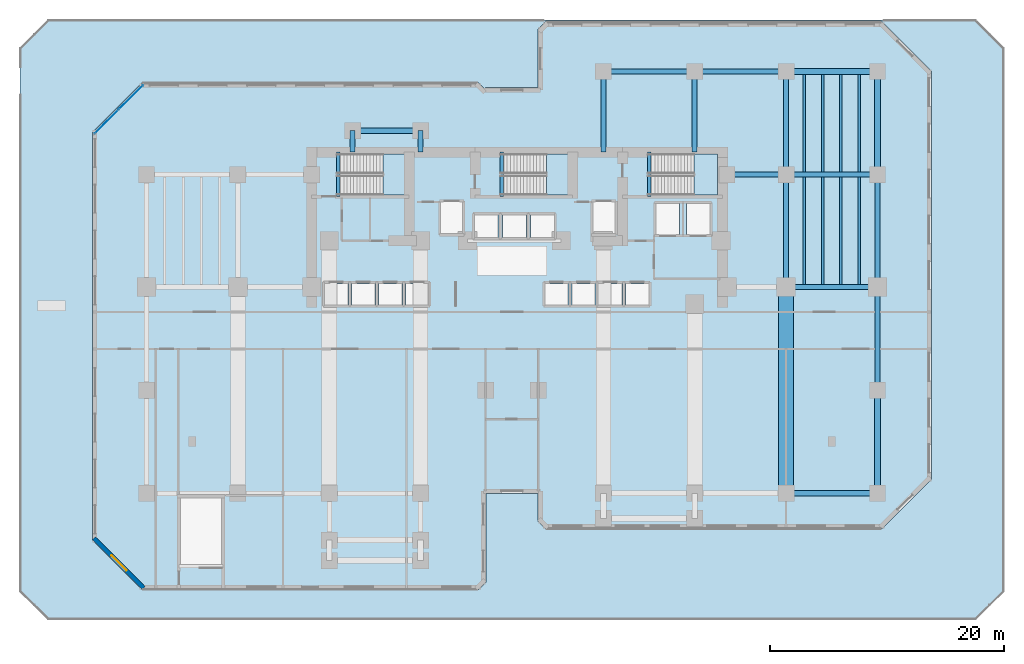
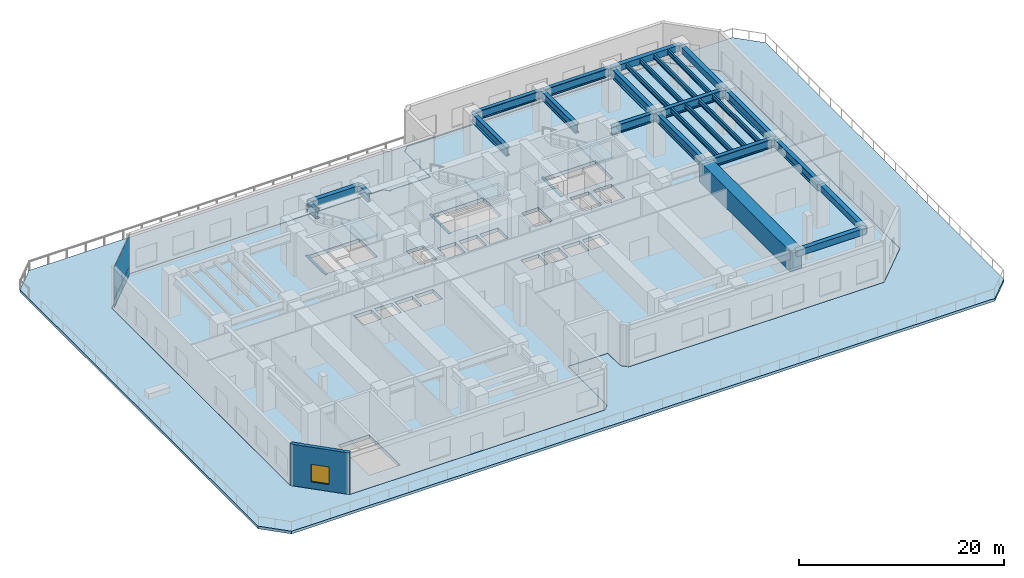
# One storey, part 3 of 13: 30 beams, 5 slabs, 4 plates, 1 wall, 1 window, 1 opening, 4 elements without a shape of their own.
"""IFC4 building model written with IfcOpenShell, lengths in metres."""

from ifc_helpers import new_model, si_unit, direction, frame, frame_2d, origin, origin_2d, place, context, subcontext, project, spatial, polyline, rectangle, i_section, outline, extrude, material, layer, layer_set, material_profile, profile_set, type_object, element, fill, aggregate, save


model = new_model("IFC4")

# Units and contexts
model_context = context("Model", 3, precision=1e-05, world=origin(), true_north=direction((0.0, 1.0)))
body_context = subcontext(model_context, "Body", "Model", "MODEL_VIEW")
ifc_project = project(units=[si_unit("LENGTHUNIT", "METRE"), si_unit("AREAUNIT", "SQUARE_METRE"), si_unit("VOLUMEUNIT", "CUBIC_METRE"), si_unit("PLANEANGLEUNIT", "RADIAN"), si_unit("MASSUNIT", "GRAM", prefix="KILO")], contexts=[model_context])

# Site, building, storey
site_placement = place(None, origin())
site = spatial("IfcSite", under=ifc_project, at=site_placement, CompositionType="ELEMENT")
building_placement = place(site_placement, origin())
building = spatial("IfcBuilding", under=site, at=building_placement, Name="Kestravale Grand Hotel", CompositionType="ELEMENT")
storey_placement = place(building_placement, frame((0.0, 0.0, 20.800048828125)))
storey = spatial("IfcBuildingStorey", under=building, at=storey_placement, Name="L04", CompositionType="ELEMENT", Elevation=20.800048828125)

# Beams
ifc_material_1 = material(Name="Steel ASTM A992 Grade 50", Category="steel")
ifc_material_profile_1 = material_profile(ifc_material_1, i_section(OverallWidth=0.2099609375, OverallDepth=0.535888671875, WebThickness=0.010986328125, FlangeThickness=0.017333984375, FilletRadius=0.017578125, at=origin_2d()))
ifc_profile_set_1 = profile_set([ifc_material_profile_1], Name="Steel ASTM A992 Grade 50")
beam_type_1 = type_object("IfcBeamType", Name="B-FLR-JST21", PredefinedType="JOIST", material=ifc_profile_set_1)
for number, where, z_axis, x_axis, name in (
    (1, (63.9599609375, 29.013427734375, 4.671875), (0.0, 1.0, 0.0), (-1.0, 0.0, 0.0), "L04 floor joist 10-11/E-F #1"),
    (2, (65.52001953125, 29.013427734375, 4.671875), (0.0, 1.0, 0.0), (-1.0, 0.0, 0.0), "L04 floor joist 10-11/E-F #2"),
    (3, (67.080078125, 29.013427734375, 4.671875), (0.0, 1.0, 0.0), (-1.0, 0.0, 0.0), "L04 floor joist 10-11/E-F #3"),
    (4, (68.639892578125, 29.013427734375, 4.671875), (0.0, 1.0, 0.0), (-1.0, 0.0, 0.0), "L04 floor joist 10-11/E-F #4"),
):
    element("IfcBeam", number, at=place(storey_placement, frame(where, z_axis=z_axis, x_axis=x_axis)), inside=storey, type_object=beam_type_1, Name=name, PredefinedType="JOIST", context=body_context, shape_type="SweptSolid", body=[
        extrude(i_section(OverallWidth=0.2099609375, OverallDepth=0.535888671875, WebThickness=0.010986328125, FlangeThickness=0.017333984375, FilletRadius=0.017578125, at=origin_2d()), origin(), (0.0, 0.0, 1.0), 9.173095703125),
    ])
for number, where, z_axis, x_axis, name in (
    (5, (63.9599609375, 38.613525390625, 4.671875), (0.0, 1.0, 0.0), (-1.0, 0.0, 0.0), "L04 floor joist 10-11/F-G #1"),
    (6, (65.52001953125, 38.613525390625, 4.671875), (0.0, 1.0, 0.0), (-1.0, 0.0, 0.0), "L04 floor joist 10-11/F-G #2"),
    (7, (67.080078125, 38.613525390625, 4.671875), (0.0, 1.0, 0.0), (-1.0, 0.0, 0.0), "L04 floor joist 10-11/F-G #3"),
    (8, (68.639892578125, 38.613525390625, 4.671875), (0.0, 1.0, 0.0), (-1.0, 0.0, 0.0), "L04 floor joist 10-11/F-G #4"),
):
    element("IfcBeam", number, at=place(storey_placement, frame(where, z_axis=z_axis, x_axis=x_axis)), inside=storey, type_object=beam_type_1, Name=name, PredefinedType="JOIST", context=body_context, shape_type="SweptSolid", body=[
        extrude(i_section(OverallWidth=0.2099609375, OverallDepth=0.535888671875, WebThickness=0.010986328125, FlangeThickness=0.017333984375, FilletRadius=0.017578125, at=origin_2d()), origin(), (0.0, 0.0, 1.0), 8.33642578125),
    ])
ifc_material_2 = material(Name="Concrete f'c 45 MPa", Category="concrete")
ifc_material_profile_2 = material_profile(ifc_material_2, rectangle(XDim=0.300048828125, YDim=0.39990234375, at=origin_2d()))
ifc_profile_set_2 = profile_set([ifc_material_profile_2], Name="Concrete f'c 45 MPa")
beam_type_2 = type_object("IfcBeamType", Name="B-FLR-LNT400", PredefinedType="LINTEL", material=ifc_profile_set_2)
for number, where, z_axis, x_axis, name in (
    (9, (24.159912109375, 36.52001953125, -0.199951171875), (0.0, 1.0, 0.0), (-1.0, 0.0, 0.0), "L04 ST1 flight bottom header beam"),
    (10, (38.110107421875, 36.52001953125, -0.199951171875), (0.0, 1.0, 0.0), (-1.0, 0.0, 0.0), "L04 ST2 flight bottom header beam"),
    (11, (50.7099609375, 36.52001953125, -0.199951171875), (0.0, 1.0, 0.0), (-1.0, 0.0, 0.0), "L04 ST3 flight bottom header beam"),
):
    element("IfcBeam", number, at=place(storey_placement, frame(where, z_axis=z_axis, x_axis=x_axis)), inside=storey, type_object=beam_type_2, Name=name, PredefinedType="LINTEL", context=body_context, shape_type="SweptSolid", body=[
        extrude(rectangle(XDim=0.300048828125, YDim=0.39990234375, at=origin_2d()), origin(), (0.0, 0.0, 1.0), 3.800048828125),
    ])
ifc_material_3 = material(Name="Concrete f'c 45 MPa", Category="concrete")
ifc_material_profile_3 = material_profile(ifc_material_3, rectangle(XDim=0.5, YDim=0.75, at=origin_2d()))
ifc_profile_set_3 = profile_set([ifc_material_profile_3], Name="Concrete f'c 45 MPa")
beam_type_3 = type_object("IfcBeamType", Name="B-FLR-RC750", PredefinedType="SPANDREL", material=ifc_profile_set_3)
for number, where, z_axis, x_axis, name in (
    (12, (62.39990234375, 11.199951171875, 4.56494140625), (1.0, 0.0, 0.0), (0.0, 1.0, 0.0), "L04 spandrel C:10-11"),
    (13, (62.39990234375, 47.199951171875, 4.56494140625), (1.0, 0.0, 0.0), (0.0, 1.0, 0.0), "L04 spandrel G:10-11"),
):
    element("IfcBeam", number, at=place(storey_placement, frame(where, z_axis=z_axis, x_axis=x_axis)), inside=storey, type_object=beam_type_3, Name=name, PredefinedType="SPANDREL", context=body_context, shape_type="SweptSolid", body=[
        extrude(rectangle(XDim=0.5, YDim=0.75, at=origin_2d()), origin(), (0.0, 0.0, 1.0), 7.800048828125),
    ])
beam_1_placement = place(storey_placement, frame((25.39990234375, 42.14990234375, 4.56494140625), z_axis=(1.0, 0.0, 0.0), x_axis=(0.0, 1.0, 0.0)))
element("IfcBeam", 14, at=beam_1_placement, inside=storey, type_object=beam_type_3, Name="L04 perimeter tie spandrel FN:4-5", PredefinedType="SPANDREL", context=body_context, shape_type="SweptSolid", body=[
    extrude(rectangle(XDim=0.5, YDim=0.75, at=origin_2d()), origin(), (0.0, 0.0, 1.0), 5.800048828125),
])
for number, where, z_axis, x_axis, name in (
    (15, (70.199951171875, 11.199951171875, 4.56494140625), (0.0, 1.0, 0.0), (-1.0, 0.0, 0.0), "L04 spandrel 11:C-D"),
    (16, (70.199951171875, 38.39990234375, 4.56494140625), (0.0, 1.0, 0.0), (-1.0, 0.0, 0.0), "L04 spandrel 11:F-G"),
):
    element("IfcBeam", number, at=place(storey_placement, frame(where, z_axis=z_axis, x_axis=x_axis)), inside=storey, type_object=beam_type_3, Name=name, PredefinedType="SPANDREL", context=body_context, shape_type="SweptSolid", body=[
        extrude(rectangle(XDim=0.5, YDim=0.75, at=origin_2d()), origin(), (0.0, 0.0, 1.0), 8.800048828125),
    ])
ifc_material_4 = material(Name="Steel ASTM A992 Grade 50", Category="steel")
ifc_material_profile_4 = material_profile(ifc_material_4, i_section(OverallWidth=0.427001953125, OverallDepth=1.0400390625, WebThickness=0.031005859375, FlangeThickness=0.055908203125, FilletRadius=0.028076171875, at=origin_2d()))
ifc_profile_set_4 = profile_set([ifc_material_profile_4], Name="Steel ASTM A992 Grade 50")
beam_type_4 = type_object("IfcBeamType", Name="B-GRD-W40", PredefinedType="BEAM", material=ifc_profile_set_4)
beam_2_placement = place(storey_placement, frame((62.39990234375, 28.800048828125, 4.419921875), z_axis=(1.0, 0.0, 0.0), x_axis=(0.0, 1.0, 0.0)))
element("IfcBeam", 17, at=beam_2_placement, inside=storey, type_object=beam_type_4, Name="L04 girder E:10-11", PredefinedType="BEAM", context=body_context, shape_type="SweptSolid", body=[
    extrude(i_section(OverallWidth=0.427001953125, OverallDepth=1.0400390625, WebThickness=0.031005859375, FlangeThickness=0.055908203125, FilletRadius=0.028076171875, at=origin_2d()), origin(), (0.0, 0.0, 1.0), 7.800048828125),
])
beam_3_placement = place(storey_placement, frame((57.35009765625, 38.39990234375, 4.419921875), z_axis=(1.0, 0.0, 0.0), x_axis=(0.0, 1.0, 0.0)))
element("IfcBeam", 18, at=beam_3_placement, inside=storey, type_object=beam_type_4, Name="L04 girder F:CE-10", PredefinedType="BEAM", context=body_context, shape_type="SweptSolid", body=[
    extrude(i_section(OverallWidth=0.427001953125, OverallDepth=1.0400390625, WebThickness=0.031005859375, FlangeThickness=0.055908203125, FilletRadius=0.028076171875, at=origin_2d()), origin(), (0.0, 0.0, 1.0), 5.0498046875),
])
for number, where, z_axis, x_axis, name in (
    (19, (62.39990234375, 38.39990234375, 4.419921875), (1.0, 0.0, 0.0), (0.0, 1.0, 0.0), "L04 girder F:10-11"),
    (20, (46.800048828125, 47.199951171875, 4.419921875), (1.0, 0.0, 0.0), (0.0, 1.0, 0.0), "L04 girder G:8-9"),
):
    element("IfcBeam", number, at=place(storey_placement, frame(where, z_axis=z_axis, x_axis=x_axis)), inside=storey, type_object=beam_type_4, Name=name, PredefinedType="BEAM", context=body_context, shape_type="SweptSolid", body=[
        extrude(i_section(OverallWidth=0.427001953125, OverallDepth=1.0400390625, WebThickness=0.031005859375, FlangeThickness=0.055908203125, FilletRadius=0.028076171875, at=origin_2d()), origin(), (0.0, 0.0, 1.0), 7.800048828125),
    ])
beam_4_placement = place(storey_placement, frame((54.60009765625, 47.199951171875, 4.419921875), z_axis=(1.0, 0.0, 0.0), x_axis=(0.0, 1.0, 0.0)))
element("IfcBeam", 21, at=beam_4_placement, inside=storey, type_object=beam_type_4, Name="L04 girder G:9-10", PredefinedType="BEAM", context=body_context, shape_type="SweptSolid", body=[
    extrude(i_section(OverallWidth=0.427001953125, OverallDepth=1.0400390625, WebThickness=0.031005859375, FlangeThickness=0.055908203125, FilletRadius=0.028076171875, at=origin_2d()), origin(), (0.0, 0.0, 1.0), 7.7998046875),
])
beam_5_placement = place(storey_placement, frame((62.39990234375, 28.800048828125, 4.419921875), z_axis=(0.0, 1.0, 0.0), x_axis=(-1.0, 0.0, 0.0)))
element("IfcBeam", 22, at=beam_5_placement, inside=storey, type_object=beam_type_4, Name="L04 girder 10:E-F", PredefinedType="BEAM", context=body_context, shape_type="SweptSolid", body=[
    extrude(i_section(OverallWidth=0.427001953125, OverallDepth=1.0400390625, WebThickness=0.031005859375, FlangeThickness=0.055908203125, FilletRadius=0.028076171875, at=origin_2d()), origin(), (0.0, 0.0, 1.0), 9.599853515625),
])
for number, where, z_axis, x_axis, name in (
    (23, (62.39990234375, 38.39990234375, 4.419921875), (0.0, 1.0, 0.0), (-1.0, 0.0, 0.0), "L04 girder 10:F-G"),
    (24, (70.199951171875, 20.0, 4.419921875), (0.0, 1.0, 0.0), (-1.0, 0.0, 0.0), "L04 girder 11:D-E"),
):
    element("IfcBeam", number, at=place(storey_placement, frame(where, z_axis=z_axis, x_axis=x_axis)), inside=storey, type_object=beam_type_4, Name=name, PredefinedType="BEAM", context=body_context, shape_type="SweptSolid", body=[
        extrude(i_section(OverallWidth=0.427001953125, OverallDepth=1.0400390625, WebThickness=0.031005859375, FlangeThickness=0.055908203125, FilletRadius=0.028076171875, at=origin_2d()), origin(), (0.0, 0.0, 1.0), 8.800048828125),
    ])
beam_6_placement = place(storey_placement, frame((70.199951171875, 28.800048828125, 4.419921875), z_axis=(0.0, 1.0, 0.0), x_axis=(-1.0, 0.0, 0.0)))
element("IfcBeam", 25, at=beam_6_placement, inside=storey, type_object=beam_type_4, Name="L04 girder 11:E-F", PredefinedType="BEAM", context=body_context, shape_type="SweptSolid", body=[
    extrude(i_section(OverallWidth=0.427001953125, OverallDepth=1.0400390625, WebThickness=0.031005859375, FlangeThickness=0.055908203125, FilletRadius=0.028076171875, at=origin_2d()), origin(), (0.0, 0.0, 1.0), 9.599853515625),
])
for number, where, z_axis, x_axis, name in (
    (26, (25.39990234375, 40.320068359375, 4.419921875), (0.0, 1.0, 0.0), (-1.0, 0.0, 0.0), "L04 north wing tie girder 4:CN-FN"),
    (27, (31.199951171875, 40.320068359375, 4.419921875), (0.0, 1.0, 0.0), (-1.0, 0.0, 0.0), "L04 north wing tie girder 5:CN-FN"),
):
    element("IfcBeam", number, at=place(storey_placement, frame(where, z_axis=z_axis, x_axis=x_axis)), inside=storey, type_object=beam_type_4, Name=name, PredefinedType="BEAM", context=body_context, shape_type="SweptSolid", body=[
        extrude(i_section(OverallWidth=0.427001953125, OverallDepth=1.0400390625, WebThickness=0.031005859375, FlangeThickness=0.055908203125, FilletRadius=0.028076171875, at=origin_2d()), origin(), (0.0, 0.0, 1.0), 1.829833984375),
    ])
for number, where, z_axis, x_axis, name in (
    (28, (46.800048828125, 40.320068359375, 4.419921875), (0.0, 1.0, 0.0), (-1.0, 0.0, 0.0), "L04 north wing tie girder 8:CN-G"),
    (29, (54.60009765625, 40.320068359375, 4.419921875), (0.0, 1.0, 0.0), (-1.0, 0.0, 0.0), "L04 north wing tie girder 9:CN-G"),
):
    element("IfcBeam", number, at=place(storey_placement, frame(where, z_axis=z_axis, x_axis=x_axis)), inside=storey, type_object=beam_type_4, Name=name, PredefinedType="BEAM", context=body_context, shape_type="SweptSolid", body=[
        extrude(i_section(OverallWidth=0.427001953125, OverallDepth=1.0400390625, WebThickness=0.031005859375, FlangeThickness=0.055908203125, FilletRadius=0.028076171875, at=origin_2d()), origin(), (0.0, 0.0, 1.0), 6.8798828125),
    ])
ifc_material_5 = material(Name="Concrete f'c 45 MPa", Category="concrete")
ifc_material_profile_5 = material_profile(ifc_material_5, rectangle(XDim=1.300048828125, YDim=2.39990234375, at=origin_2d()))
ifc_profile_set_5 = profile_set([ifc_material_profile_5], Name="Concrete f'c 45 MPa")
beam_type_5 = type_object("IfcBeamType", Name="B-TRG-2400", PredefinedType="USERDEFINED", material=ifc_profile_set_5)
beam_7_placement = place(storey_placement, frame((62.39990234375, 11.199951171875, 3.739990234375), z_axis=(0.0, 1.0, 0.0), x_axis=(-1.0, 0.0, 0.0)))
element("IfcBeam", 30, at=beam_7_placement, inside=storey, type_object=beam_type_5, Name="L04 ballroom transfer girder Grid 10", ObjectType="TRANSFER GIRDER", PredefinedType="USERDEFINED", context=body_context, shape_type="SweptSolid", body=[
    extrude(rectangle(XDim=1.300048828125, YDim=2.39990234375, at=origin_2d()), origin(), (0.0, 0.0, 1.0), 17.60009765625),
])

# Curtain wall, plates
ifc_material_6 = material(Name="Thermally broken champagne-bronze aluminium and low-E glazing", Category="aluminium")
ifc_layer_1 = layer(ifc_material_6, 0.239990234375)
ifc_layer_set_1 = layer_set([ifc_layer_1], Name="CW-POD")
curtain_wall_type = type_object("IfcCurtainWallType", Name="CW-POD", PredefinedType="NOTDEFINED", material=ifc_layer_set_1)
curtain_wall_placement = place(storey_placement, origin())
curtain_wall = element("IfcCurtainWall", 31, at=curtain_wall_placement, inside=storey, type_object=curtain_wall_type, Name="L04 unitised curtain wall 18", PredefinedType="NOTDEFINED")
ifc_material_7 = material(Name="Insulated clear low-E double glazing IGU", Category="glass")
ifc_layer_2 = layer(ifc_material_7, 0.035888671875)
ifc_layer_set_2 = layer_set([ifc_layer_2], Name="CW-PNL-36")
plate_type = type_object("IfcPlateType", Name="CW-PNL-36", PredefinedType="CURTAIN_PANEL", material=ifc_layer_set_2)
plate_1_placement = place(storey_placement, frame((6.476318359375, 45.0078125, 0.074951171875), z_axis=(0.0, 0.0, 1.0), x_axis=(-0.707106781187, -0.707106781187, 0.0)))
plate_1 = element("IfcPlate", 32, at=plate_1_placement, type_object=plate_type, Name="CW-POD panel 1.1", PredefinedType="CURTAIN_PANEL", context=body_context, shape_type="SweptSolid", body=[
    extrude(rectangle(XDim=2.8623046875, YDim=0.035888671875, at=origin_2d()), origin(), (0.0, 0.0, 1.0), 0.9375),
])
plate_2_placement = place(storey_placement, frame((6.476318359375, 45.0078125, 1.08740234375), z_axis=(0.0, 0.0, 1.0), x_axis=(-0.707106781187, -0.707106781187, 0.0)))
plate_2 = element("IfcPlate", 33, at=plate_2_placement, type_object=plate_type, Name="CW-POD panel 1.2", PredefinedType="CURTAIN_PANEL", context=body_context, shape_type="SweptSolid", body=[
    extrude(rectangle(XDim=2.8623046875, YDim=0.035888671875, at=origin_2d()), origin(), (0.0, 0.0, 1.0), 3.777587890625),
])
plate_3_placement = place(storey_placement, frame((4.392333984375, 42.923583984375, 0.074951171875), z_axis=(0.0, 0.0, 1.0), x_axis=(-0.707106781187, -0.707106781187, 0.0)))
plate_3 = element("IfcPlate", 34, at=plate_3_placement, type_object=plate_type, Name="CW-POD panel 2.1", PredefinedType="CURTAIN_PANEL", context=body_context, shape_type="SweptSolid", body=[
    extrude(rectangle(XDim=2.8623046875, YDim=0.035888671875, at=origin_2d()), origin(), (0.0, 0.0, 1.0), 0.9375),
])
plate_4_placement = place(storey_placement, frame((4.392333984375, 42.923583984375, 1.08740234375), z_axis=(0.0, 0.0, 1.0), x_axis=(-0.707106781187, -0.707106781187, 0.0)))
plate_4 = element("IfcPlate", 35, at=plate_4_placement, type_object=plate_type, Name="CW-POD panel 2.2", PredefinedType="CURTAIN_PANEL", context=body_context, shape_type="SweptSolid", body=[
    extrude(rectangle(XDim=2.8623046875, YDim=0.035888671875, at=origin_2d()), origin(), (0.0, 0.0, 1.0), 3.777587890625),
])
aggregate(curtain_wall, [plate_1, plate_2, plate_3, plate_4])

# Slab
ifc_material_8 = material(Name="Concrete f'c 45 MPa", Category="concrete")
ifc_layer_3 = layer(ifc_material_8, 0.320068359375)
ifc_layer_set_3 = layer_set([ifc_layer_3], Name="ES-TERR-320")
slab_type_1 = type_object("IfcSlabType", Name="ES-TERR-320", PredefinedType="ROOF", material=ifc_layer_set_3)
slab_1_placement = place(storey_placement, frame((0.0, 0.0, -0.320068359375)))
element("IfcSlab", 36, at=slab_1_placement, inside=storey, type_object=slab_type_1, Name="L04 raised public garden deck 1", PredefinedType="ROOF", context=body_context, shape_type="SweptSolid", body=[
    extrude(outline(polyline([(-3.0, 2.800048828125), (-3.0, 49.199951171875), (-0.60009765625, 51.60009765625), (78.60009765625, 51.60009765625), (81.0, 49.199951171875), (81.0, 2.800048828125), (78.60009765625, 0.39990234375), (-0.60009765625, 0.39990234375), (-3.0, 2.800048828125)]), holes=[polyline([(7.38720703125, 2.984619140625), (7.388916015625, 2.9833984375), (7.390625, 2.982421875), (7.392333984375, 2.9814453125), (7.394287109375, 2.98095703125), (7.39599609375, 2.98046875), (7.39794921875, 2.97998046875), (7.39990234375, 2.97998046875), (36.14990234375, 2.97998046875), (36.152099609375, 2.97998046875), (36.15380859375, 2.98046875), (36.15576171875, 2.98095703125), (36.15771484375, 2.9814453125), (36.159423828125, 2.982421875), (36.1611328125, 2.9833984375), (36.16259765625, 2.984619140625), (36.1640625, 2.98583984375), (36.76416015625, 3.5859375), (36.765380859375, 3.58740234375), (36.7666015625, 3.5888671875), (36.767578125, 3.590576171875), (36.7685546875, 3.59228515625), (36.76904296875, 3.59423828125), (36.76953125, 3.59619140625), (36.77001953125, 3.597900390625), (36.77001953125, 3.60009765625), (36.77001953125, 11.179931640625), (41.22998046875, 11.179931640625), (41.22998046875, 8.800048828125), (41.22998046875, 8.798095703125), (41.23046875, 8.796142578125), (41.23095703125, 8.794189453125), (41.2314453125, 8.792236328125), (41.232421875, 8.79052734375), (41.2333984375, 8.788818359375), (41.234619140625, 8.787353515625), (41.23583984375, 8.785888671875), (41.8359375, 8.185791015625), (41.83740234375, 8.1845703125), (41.8388671875, 8.183349609375), (41.840576171875, 8.182373046875), (41.84228515625, 8.181396484375), (41.84423828125, 8.180908203125), (41.84619140625, 8.180419921875), (41.847900390625, 8.18017578125), (41.85009765625, 8.179931640625), (70.60009765625, 8.179931640625), (70.60205078125, 8.18017578125), (70.60400390625, 8.180419921875), (70.605712890625, 8.180908203125), (70.607666015625, 8.181396484375), (70.609375, 8.182373046875), (70.611083984375, 8.183349609375), (70.61279296875, 8.1845703125), (70.614013671875, 8.185791015625), (74.814208984375, 12.385986328125), (74.8154296875, 12.38720703125), (74.816650390625, 12.388916015625), (74.817626953125, 12.390625), (74.818603515625, 12.392333984375), (74.819091796875, 12.394287109375), (74.819580078125, 12.39599609375), (74.81982421875, 12.39794921875), (74.820068359375, 12.39990234375), (74.820068359375, 47.199951171875), (74.81982421875, 47.201904296875), (74.819580078125, 47.203857421875), (74.819091796875, 47.205810546875), (74.818603515625, 47.207763671875), (74.817626953125, 47.20947265625), (74.816650390625, 47.211181640625), (74.8154296875, 47.212646484375), (74.814208984375, 47.214111328125), (70.614013671875, 51.4140625), (70.61279296875, 51.41552734375), (70.611083984375, 51.41650390625), (70.609375, 51.41748046875), (70.607666015625, 51.41845703125), (70.605712890625, 51.419189453125), (70.60400390625, 51.419677734375), (70.60205078125, 51.419921875), (70.60009765625, 51.419921875), (41.85009765625, 51.419921875), (41.847900390625, 51.419921875), (41.84619140625, 51.419677734375), (41.84423828125, 51.419189453125), (41.84228515625, 51.41845703125), (41.840576171875, 51.41748046875), (41.8388671875, 51.41650390625), (41.83740234375, 51.41552734375), (41.8359375, 51.4140625), (41.23583984375, 50.814208984375), (41.234619140625, 50.812744140625), (41.2333984375, 50.81103515625), (41.232421875, 50.809326171875), (41.2314453125, 50.8076171875), (41.23095703125, 50.805908203125), (41.23046875, 50.803955078125), (41.22998046875, 50.802001953125), (41.22998046875, 50.800048828125), (41.22998046875, 45.820068359375), (36.75, 45.820068359375), (36.748046875, 45.81982421875), (36.74609375, 45.819580078125), (36.744140625, 45.819091796875), (36.7421875, 45.818603515625), (36.740478515625, 45.817626953125), (36.739013671875, 45.816650390625), (36.7373046875, 45.8154296875), (36.73583984375, 45.814208984375), (36.734619140625, 45.812744140625), (36.7333984375, 45.81103515625), (36.732421875, 45.809326171875), (36.7314453125, 45.8076171875), (36.73095703125, 45.805908203125), (36.73046875, 45.803955078125), (36.72998046875, 45.802001953125), (36.72998046875, 45.800048828125), (36.72998046875, 45.648193359375), (36.1640625, 46.214111328125), (36.16259765625, 46.215576171875), (36.1611328125, 46.216552734375), (36.159423828125, 46.217529296875), (36.15771484375, 46.218505859375), (36.15576171875, 46.218994140625), (36.15380859375, 46.219482421875), (36.152099609375, 46.219970703125), (36.14990234375, 46.219970703125), (7.39990234375, 46.219970703125), (7.39794921875, 46.219970703125), (7.39599609375, 46.219482421875), (7.394287109375, 46.218994140625), (7.392333984375, 46.218505859375), (7.390625, 46.217529296875), (7.388916015625, 46.216552734375), (7.38720703125, 46.215576171875), (7.385986328125, 46.214111328125), (3.185791015625, 42.01416015625), (3.1845703125, 42.0126953125), (3.183349609375, 42.010986328125), (3.182373046875, 42.009521484375), (3.181396484375, 42.0078125), (3.180908203125, 42.005859375), (3.180419921875, 42.00390625), (3.18017578125, 42.001953125), (3.179931640625, 42.0), (3.179931640625, 7.199951171875), (3.18017578125, 7.197998046875), (3.180419921875, 7.196044921875), (3.180908203125, 7.194091796875), (3.181396484375, 7.1923828125), (3.182373046875, 7.190673828125), (3.183349609375, 7.18896484375), (3.1845703125, 7.187255859375), (3.185791015625, 7.185791015625), (7.385986328125, 2.98583984375), (7.38720703125, 2.984619140625)])]), origin(), (0.0, 0.0, 1.0), 0.320068359375),
])

# Stair, slab
ifc_material_9 = material(Name="Concrete f'c 45 MPa", Category="concrete")
stair_type = type_object("IfcStairType", Name="ST-CORE-520", PredefinedType="HALF_TURN_STAIR", material=ifc_material_9)
stair_1_placement = place(storey_placement, origin())
stair_1 = element("IfcStair", 37, at=stair_1_placement, inside=storey, type_object=stair_type, Name="L04 ST-1", PredefinedType="HALF_TURN_STAIR")
ifc_material_10 = material(Name="Concrete f'c 45 MPa", Category="concrete")
ifc_layer_4 = layer(ifc_material_10, 0.199951171875)
ifc_layer_set_4 = layer_set([ifc_layer_4], Name="SLB-ST-LND200")
slab_type_2 = type_object("IfcSlabType", Name="SLB-ST-LND200", PredefinedType="LANDING", material=ifc_layer_set_4)
slab_2_placement = place(storey_placement, frame((0.0, 0.0, 2.39990234375)))
slab_2 = element("IfcSlab", 38, at=slab_2_placement, type_object=slab_type_2, Name="ST-1 landing 1", PredefinedType="LANDING", context=body_context, shape_type="SweptSolid", body=[
    extrude(outline(polyline([(28.0, 36.64990234375), (30.0, 36.64990234375), (30.0, 40.159912109375), (28.0, 40.159912109375), (28.0, 36.64990234375)])), origin(), (0.0, 0.0, 1.0), 0.199951171875),
])
aggregate(stair_1, [slab_2])

stair_2_placement = place(storey_placement, origin())
stair_2 = element("IfcStair", 39, at=stair_2_placement, inside=storey, type_object=stair_type, Name="L04 ST-2", PredefinedType="HALF_TURN_STAIR")
slab_3_placement = place(storey_placement, frame((0.0, 0.0, 2.39990234375)))
slab_3 = element("IfcSlab", 40, at=slab_3_placement, type_object=slab_type_2, Name="ST-2 landing 1", PredefinedType="LANDING", context=body_context, shape_type="SweptSolid", body=[
    extrude(outline(polyline([(41.949951171875, 36.64990234375), (43.949951171875, 36.64990234375), (43.949951171875, 40.159912109375), (41.949951171875, 40.159912109375), (41.949951171875, 36.64990234375)])), origin(), (0.0, 0.0, 1.0), 0.199951171875),
])
aggregate(stair_2, [slab_3])

stair_3_placement = place(storey_placement, origin())
stair_3 = element("IfcStair", 41, at=stair_3_placement, inside=storey, type_object=stair_type, Name="L04 ST-3", PredefinedType="HALF_TURN_STAIR")
slab_4_placement = place(storey_placement, frame((0.0, 0.0, 2.39990234375)))
slab_4 = element("IfcSlab", 42, at=slab_4_placement, type_object=slab_type_2, Name="ST-3 landing 1", PredefinedType="LANDING", context=body_context, shape_type="SweptSolid", body=[
    extrude(outline(polyline([(54.550048828125, 36.64990234375), (56.550048828125, 36.64990234375), (56.550048828125, 40.159912109375), (54.550048828125, 40.159912109375), (54.550048828125, 36.64990234375)])), origin(), (0.0, 0.0, 1.0), 0.199951171875),
])
aggregate(stair_3, [slab_4])

# Slab
ifc_material_11 = material(Name="Concrete f'c 45 MPa", Category="concrete")
ifc_layer_5 = layer(ifc_material_11, 0.419921875)
ifc_layer_set_5 = layer_set([ifc_layer_5], Name="SS-TRN-420")
slab_type_3 = type_object("IfcSlabType", Name="SS-TRN-420", PredefinedType="FLOOR", material=ifc_layer_set_5)
slab_5_placement = place(storey_placement, frame((0.0, 0.0, -0.420166015625)))
element("IfcSlab", 43, at=slab_5_placement, inside=storey, type_object=slab_type_3, Name="L04 structural floor slab", PredefinedType="FLOOR", context=body_context, shape_type="SweptSolid", body=[
    extrude(outline(polyline([(7.39990234375, 3.0), (36.14990234375, 3.0), (36.75, 3.60009765625), (36.75, 11.199951171875), (41.25, 11.199951171875), (41.25, 8.800048828125), (41.85009765625, 8.199951171875), (70.60009765625, 8.199951171875), (74.800048828125, 12.39990234375), (74.800048828125, 47.199951171875), (70.60009765625, 51.39990234375), (41.85009765625, 51.39990234375), (41.25, 50.800048828125), (41.25, 45.800048828125), (36.75, 45.800048828125), (36.75, 45.60009765625), (36.14990234375, 46.199951171875), (7.39990234375, 46.199951171875), (3.199951171875, 42.0), (3.199951171875, 7.199951171875), (7.39990234375, 3.0)]), holes=[polyline([(24.080078125, 36.64990234375), (30.0, 36.64990234375), (30.0, 40.159912109375), (24.080078125, 40.159912109375), (24.080078125, 36.64990234375)]), polyline([(38.030029296875, 36.64990234375), (43.949951171875, 36.64990234375), (43.949951171875, 40.159912109375), (38.030029296875, 40.159912109375), (38.030029296875, 36.64990234375)]), polyline([(50.6298828125, 36.64990234375), (56.550048828125, 36.64990234375), (56.550048828125, 40.159912109375), (50.6298828125, 40.159912109375), (50.6298828125, 36.64990234375)]), polyline([(14.199951171875, 4.8798828125), (14.199951171875, 10.800048828125), (10.68994140625, 10.800048828125), (10.68994140625, 4.8798828125), (14.199951171875, 4.8798828125)]), polyline([(23.0048828125, 27.280029296875), (24.9951171875, 27.280029296875), (24.9951171875, 29.1201171875), (23.0048828125, 29.1201171875), (23.0048828125, 27.280029296875)]), polyline([(25.304931640625, 27.280029296875), (27.294921875, 27.280029296875), (27.294921875, 29.1201171875), (25.304931640625, 29.1201171875), (25.304931640625, 27.280029296875)]), polyline([(27.60498046875, 27.280029296875), (29.594970703125, 27.280029296875), (29.594970703125, 29.1201171875), (27.60498046875, 29.1201171875), (27.60498046875, 27.280029296875)]), polyline([(29.905029296875, 27.280029296875), (31.89501953125, 27.280029296875), (31.89501953125, 29.1201171875), (29.905029296875, 29.1201171875), (29.905029296875, 27.280029296875)]), polyline([(41.804931640625, 27.280029296875), (43.794921875, 27.280029296875), (43.794921875, 29.1201171875), (41.804931640625, 29.1201171875), (41.804931640625, 27.280029296875)]), polyline([(44.10498046875, 27.280029296875), (46.094970703125, 27.280029296875), (46.094970703125, 29.1201171875), (44.10498046875, 29.1201171875), (44.10498046875, 27.280029296875)]), polyline([(46.405029296875, 27.280029296875), (48.39501953125, 27.280029296875), (48.39501953125, 29.1201171875), (46.405029296875, 29.1201171875), (46.405029296875, 27.280029296875)]), polyline([(48.705078125, 27.280029296875), (50.695068359375, 27.280029296875), (50.695068359375, 29.1201171875), (48.705078125, 29.1201171875), (48.705078125, 27.280029296875)]), polyline([(35.780029296875, 33.030029296875), (37.820068359375, 33.030029296875), (37.820068359375, 34.969970703125), (35.780029296875, 34.969970703125), (35.780029296875, 33.030029296875)]), polyline([(38.179931640625, 33.030029296875), (40.219970703125, 33.030029296875), (40.219970703125, 34.969970703125), (38.179931640625, 34.969970703125), (38.179931640625, 33.030029296875)]), polyline([(40.580078125, 33.030029296875), (42.6201171875, 33.030029296875), (42.6201171875, 34.969970703125), (40.580078125, 34.969970703125), (40.580078125, 33.030029296875)]), polyline([(32.905029296875, 33.35498046875), (34.794921875, 33.35498046875), (34.794921875, 36.044921875), (32.905029296875, 36.044921875), (32.905029296875, 33.35498046875)]), polyline([(45.905029296875, 33.35498046875), (47.794921875, 33.35498046875), (47.794921875, 36.044921875), (45.905029296875, 36.044921875), (45.905029296875, 33.35498046875)]), polyline([(51.280029296875, 33.280029296875), (53.320068359375, 33.280029296875), (53.320068359375, 35.919921875), (51.280029296875, 35.919921875), (51.280029296875, 33.280029296875)]), polyline([(53.8798828125, 33.280029296875), (55.919921875, 33.280029296875), (55.919921875, 35.919921875), (53.8798828125, 35.919921875), (53.8798828125, 33.280029296875)])]), origin(), (0.0, 0.0, 1.0), 0.420166015625),
])

# Wall, opening, window
ifc_material_12 = material(Name="Precast concrete f'c 45 MPa", Category="concrete")
ifc_layer_6 = layer(ifc_material_12, 0.3798828125)
ifc_layer_set_6 = layer_set([ifc_layer_6], Name="EW-POD-380")
wall_type = type_object("IfcWallType", Name="EW-POD-380", PredefinedType="SOLIDWALL", material=ifc_layer_set_6)
wall_placement = place(storey_placement, frame((3.30615234375, 7.362548828125, 0.0), z_axis=(0.0, 0.0, 1.0), x_axis=(0.707106781187, -0.707106781187, 0.0)))
wall = element("IfcWall", 44, at=wall_placement, inside=storey, type_object=wall_type, Name="L04 fluted precast facade wall 20", PredefinedType="SOLIDWALL", context=body_context, shape_type="SweptSolid", body=[
    extrude(rectangle(XDim=6.019287109375, YDim=0.3798828125, at=frame_2d((3.009765625, 0.0))), origin(), (0.0, 0.0, 1.0), 4.93994140625),
])
opening_placement = place(wall_placement, frame((2.10986328125, 0.0, 0.800048828125)))
opening = element("IfcOpeningElement", 45, at=opening_placement, cuts=wall, Name="Opening W-POD-1800", PredefinedType="OPENING", context=body_context, shape_type="SweptSolid", body=[
    extrude(rectangle(XDim=1.800048828125, YDim=2.10009765625, at=frame_2d((0.89990234375, 1.050048828125))), frame((0.0, 0.199951171875, 0.0), z_axis=(0.0, -1.0, 0.0), x_axis=(1.0, 0.0, 0.0)), (0.0, 0.0, 1.0), 0.39990234375),
])
ifc_material_13 = material(Name="Insulated low-E double glazing in aluminium frame", Category="aluminium")
window_type = type_object("IfcWindowType", Name="W-POD-1800", PartitioningType="DOUBLE_PANEL_VERTICAL", PredefinedType="WINDOW", material=ifc_material_13)
window_placement = place(opening_placement, origin())
window = element("IfcWindow", 46, at=window_placement, inside=storey, type_object=window_type, Name="L04 exterior window 20.1", OverallHeight=2.10009765625, OverallWidth=1.800048828125, PartitioningType="SINGLE_PANEL", PredefinedType="WINDOW", context=body_context, shape_type="SweptSolid", body=[
    extrude(rectangle(XDim=1.800048828125, YDim=2.10009765625, at=frame_2d((0.89990234375, 1.050048828125))), frame((0.0, 0.030029296875, 0.0), z_axis=(0.0, -1.0, 0.0), x_axis=(1.0, 0.0, 0.0)), (0.0, 0.0, 1.0), 0.06005859375),
])
fill(opening, window)

save(model, "model.ifc")
